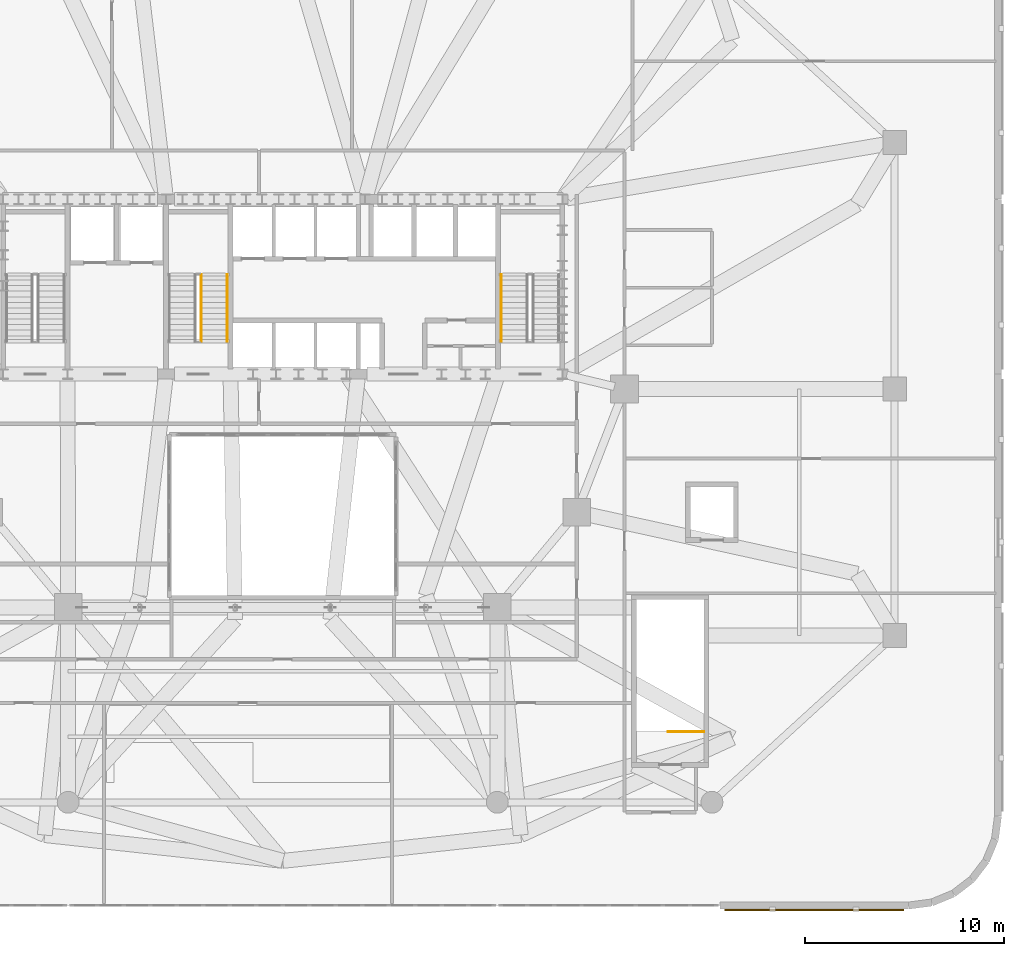
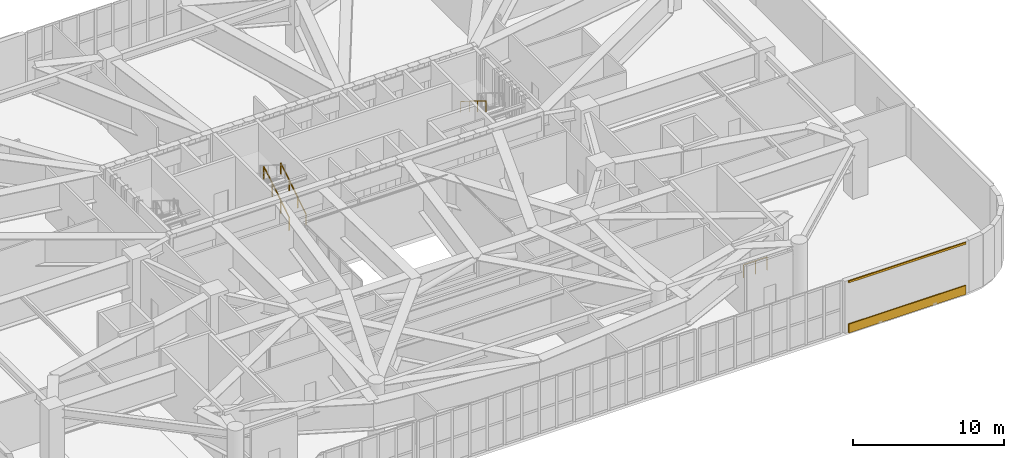
# One storey, part 22 of 26: 4 railings, 2 coverings.
"""IFC4 building model written with IfcOpenShell, lengths in metres."""

from ifc_helpers import new_model, si_unit, direction, frame, origin, origin_2d, place, context, subcontext, project, spatial, polyline, rectangle, outline, extrude, material, layer, layer_set, type_object, element, save


model = new_model("IFC4")

# Units and contexts
model_context = context("Model", 3, precision=1e-05, world=origin(), true_north=direction((0.0, 1.0)))
body_context = subcontext(model_context, "Body", "Model", "MODEL_VIEW")
ifc_project = project(units=[si_unit("LENGTHUNIT", "METRE"), si_unit("AREAUNIT", "SQUARE_METRE"), si_unit("VOLUMEUNIT", "CUBIC_METRE"), si_unit("PLANEANGLEUNIT", "RADIAN"), si_unit("MASSUNIT", "GRAM", prefix="KILO")], contexts=[model_context])

# Site, building, storey
site_placement = place(None, origin())
site = spatial("IfcSite", under=ifc_project, at=site_placement, CompositionType="ELEMENT")
building_placement = place(site_placement, origin())
building = spatial("IfcBuilding", under=site, at=building_placement, Name="Haldorwick Loom Tower", CompositionType="ELEMENT")
storey_placement = place(building_placement, frame((0.0, 0.0, 19.5)))
storey = spatial("IfcBuildingStorey", under=building, at=storey_placement, Name="L04", CompositionType="ELEMENT", Elevation=19.5)

# Coverings
ifc_material_1 = material(Name="Corbelled Pressed Clay Face Brick Veneer", Category="masonry")
ifc_layer = layer(ifc_material_1, 0.090087890625, Name="Corbelled Pressed Clay Face Brick Veneer", Category="masonry")
ifc_layer_set = layer_set([ifc_layer], Name="Corbelled Pressed Clay Face Brick Veneer")
covering_type = type_object("IfcCoveringType", Name="ARC-COV-BRICK090", PredefinedType="CLADDING", material=ifc_layer_set)
covering_1_placement = place(storey_placement, origin())
element("IfcCovering", 1, at=covering_1_placement, inside=storey, type_object=covering_type, Name="L04 Sill Face-Brick Spandrel 42", PredefinedType="CLADDING", context=body_context, shape_type="SweptSolid", body=[
    extrude(outline(polyline([(58.25, -0.27001953125), (67.25, -0.27001953125), (67.25, -0.179931640625), (58.25, -0.179931640625), (58.25, -0.27001953125)])), origin(), (0.0, 0.0, 1.0), 0.719970703125),
])
covering_2_placement = place(storey_placement, frame((0.0, 0.0, 4.06005859375)))
element("IfcCovering", 2, at=covering_2_placement, inside=storey, type_object=covering_type, Name="L04 Head Face-Brick Lintel Band 42", PredefinedType="CLADDING", context=body_context, shape_type="SweptSolid", body=[
    extrude(outline(polyline([(58.25, -0.27001953125), (67.25, -0.27001953125), (67.25, -0.179931640625), (58.25, -0.179931640625), (58.25, -0.27001953125)])), origin(), (0.0, 0.0, 1.0), 0.159912109375),
])

# Railings
ifc_material_2 = material(Name="Steel CSA G40.21 350W", Category="steel")
railing_type_1 = type_object("IfcRailingType", Name="ARC-RLG-GUARD112", PredefinedType="GUARDRAIL", material=ifc_material_2)
railing_1_placement = place(storey_placement, frame((31.89990234375, 28.39990234375, 0.173095703125)))
element("IfcRailing", 3, at=railing_1_placement, inside=storey, type_object=railing_type_1, Name="L04 ST-03 stair guard 1", PredefinedType="GUARDRAIL", context=body_context, shape_type="SweptSolid", body=[
    extrude(rectangle(XDim=0.048095703125, YDim=0.048095703125, at=origin_2d()), frame((0.0, 0.0, 1.076171875), z_axis=(0.0, 0.850623216509, 0.525775754039), x_axis=(-1.0, 0.0, 0.0)), (0.0, 0.0, 1.0), 3.9501953125),
    extrude(rectangle(XDim=0.0419921875, YDim=0.0419921875, at=origin_2d()), origin(), (0.0, 0.0, 1.0), 1.052001953125),
    extrude(rectangle(XDim=0.0419921875, YDim=0.0419921875, at=origin_2d()), frame((0.0, 1.1201171875, 0.6923828125)), (0.0, 0.0, 1.0), 1.052001953125),
    extrude(rectangle(XDim=0.0419921875, YDim=0.0419921875, at=origin_2d()), frame((0.0, 2.239990234375, 1.384521484375)), (0.0, 0.0, 1.0), 1.052001953125),
    extrude(rectangle(XDim=0.0419921875, YDim=0.0419921875, at=origin_2d()), frame((0.0, 3.360107421875, 2.076904296875)), (0.0, 0.0, 1.0), 1.052001953125),
])
railing_2_placement = place(storey_placement, frame((57.199951171875, 8.75, 0.0)))
element("IfcRailing", 4, at=railing_2_placement, inside=storey, type_object=railing_type_1, Name="L04 ST-P2 top well guard 1", PredefinedType="GUARDRAIL", context=body_context, shape_type="SweptSolid", body=[
    extrude(rectangle(XDim=0.048095703125, YDim=0.048095703125, at=origin_2d()), frame((0.0, 0.0, 1.076171875), z_axis=(-1.0, 0.0, 0.0), x_axis=(0.0, -1.0, 0.0)), (0.0, 0.0, 1.0), 1.800048828125),
    extrude(rectangle(XDim=0.0419921875, YDim=0.0419921875, at=origin_2d()), origin(), (0.0, 0.0, 1.0), 1.052001953125),
    extrude(rectangle(XDim=0.0419921875, YDim=0.0419921875, at=origin_2d()), frame((-0.89990234375, 0.0, 0.0)), (0.0, 0.0, 1.0), 1.052001953125),
    extrude(rectangle(XDim=0.0419921875, YDim=0.0419921875, at=origin_2d()), frame((-1.800048828125, 0.0, 0.0)), (0.0, 0.0, 1.0), 1.052001953125),
])
railing_type_2 = type_object("IfcRailingType", Name="ARC-RLG-HAND092", PredefinedType="HANDRAIL", material=ifc_material_2)
railing_3_placement = place(storey_placement, frame((47.0, 31.760009765625, 2.423095703125)))
element("IfcRailing", 5, at=railing_3_placement, inside=storey, type_object=railing_type_2, Name="L04 ST-02 stair handrail 2", PredefinedType="HANDRAIL", context=body_context, shape_type="SweptSolid", body=[
    extrude(rectangle(XDim=0.048095703125, YDim=0.048095703125, at=origin_2d()), frame((0.0, 0.0, 0.8759765625), z_axis=(0.0, -0.850623216509, 0.525775754039), x_axis=(1.0, 0.0, 0.0)), (0.0, 0.0, 1.0), 3.9501953125),
    extrude(rectangle(XDim=0.0419921875, YDim=0.0419921875, at=origin_2d()), origin(), (0.0, 0.0, 1.0), 0.851806640625),
    extrude(rectangle(XDim=0.0419921875, YDim=0.0419921875, at=origin_2d()), frame((0.0, -1.1201171875, 0.6923828125)), (0.0, 0.0, 1.0), 0.851806640625),
    extrude(rectangle(XDim=0.0419921875, YDim=0.0419921875, at=origin_2d()), frame((0.0, -2.239990234375, 1.384521484375)), (0.0, 0.0, 1.0), 0.851806640625),
    extrude(rectangle(XDim=0.0419921875, YDim=0.0419921875, at=origin_2d()), frame((0.0, -3.360107421875, 2.076904296875)), (0.0, 0.0, 1.0), 0.851806640625),
])
railing_4_placement = place(storey_placement, frame((33.199951171875, 28.39990234375, 0.173095703125)))
element("IfcRailing", 6, at=railing_4_placement, inside=storey, type_object=railing_type_2, Name="L04 ST-03 stair handrail 1", PredefinedType="HANDRAIL", context=body_context, shape_type="SweptSolid", body=[
    extrude(rectangle(XDim=0.048095703125, YDim=0.048095703125, at=origin_2d()), frame((0.0, 0.0, 0.8759765625), z_axis=(0.0, 0.850623216509, 0.525775754039), x_axis=(-1.0, 0.0, 0.0)), (0.0, 0.0, 1.0), 3.9501953125),
    extrude(rectangle(XDim=0.0419921875, YDim=0.0419921875, at=origin_2d()), origin(), (0.0, 0.0, 1.0), 0.851806640625),
    extrude(rectangle(XDim=0.0419921875, YDim=0.0419921875, at=origin_2d()), frame((0.0, 1.1201171875, 0.6923828125)), (0.0, 0.0, 1.0), 0.851806640625),
    extrude(rectangle(XDim=0.0419921875, YDim=0.0419921875, at=origin_2d()), frame((0.0, 2.239990234375, 1.384521484375)), (0.0, 0.0, 1.0), 0.851806640625),
    extrude(rectangle(XDim=0.0419921875, YDim=0.0419921875, at=origin_2d()), frame((0.0, 3.360107421875, 2.076904296875)), (0.0, 0.0, 1.0), 0.851806640625),
])

save(model, "model.ifc")
